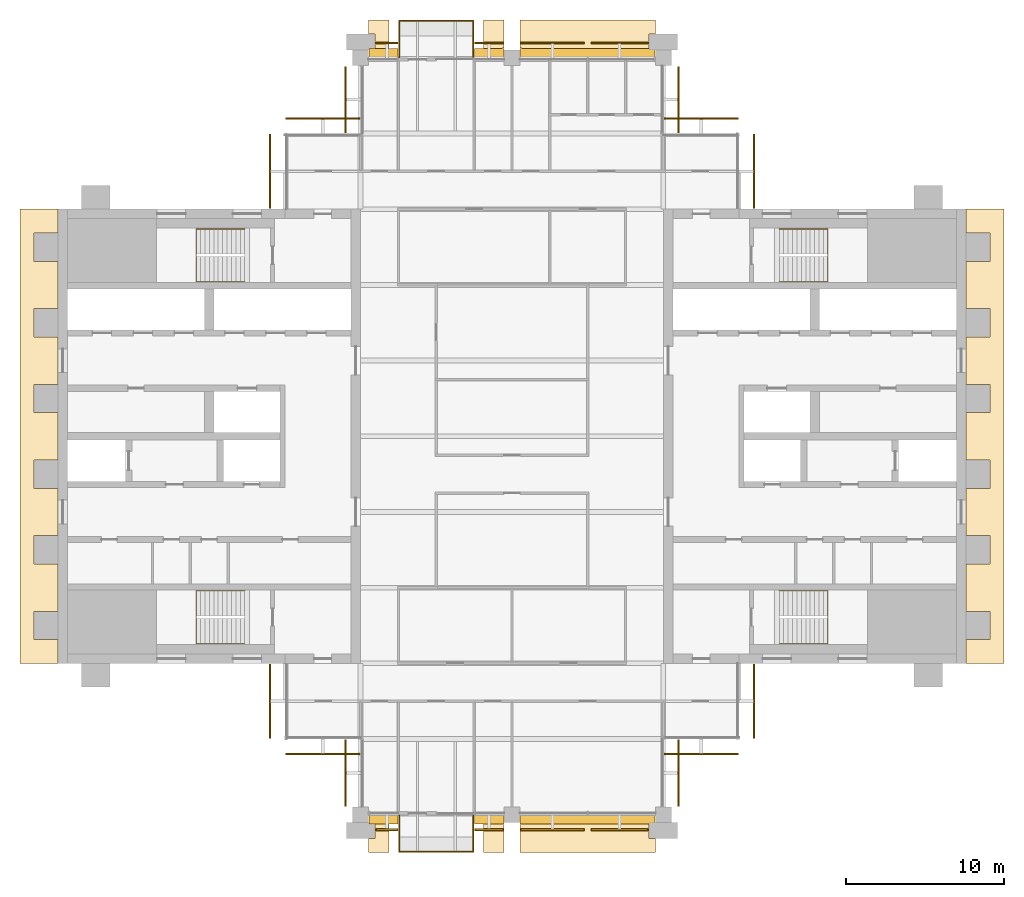
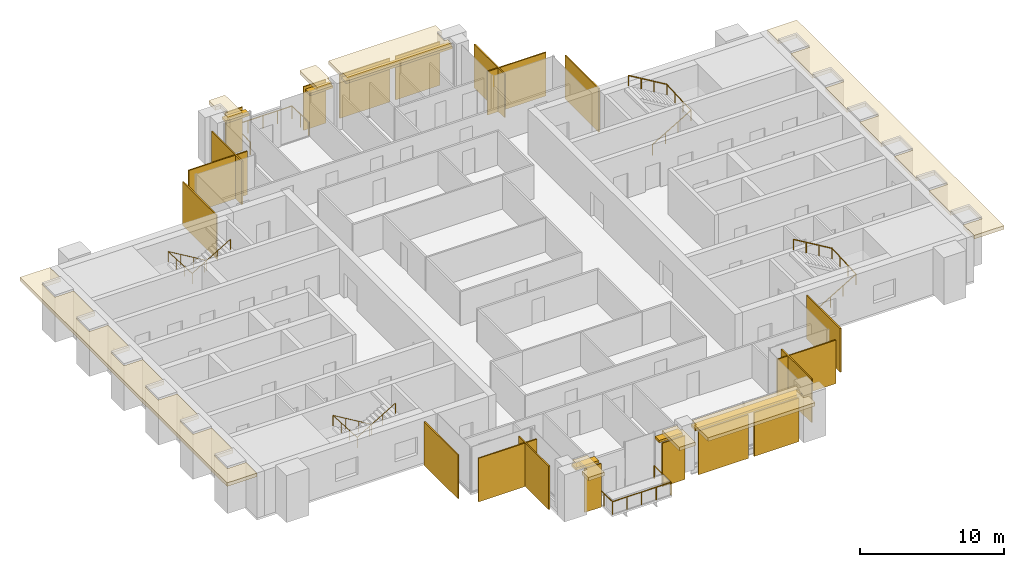
# One storey, part 13 of 13: 28 coverings, 6 railings, 6 shading devices.
"""IFC4 building model written with IfcOpenShell, lengths in metres."""

from ifc_helpers import new_model, si_unit, direction, frame, origin, origin_2d, place, context, subcontext, project, spatial, polyline, rectangle, circle, outline, extrude, material, layer, layer_set, type_object, element, save


model = new_model("IFC4")

# Units and contexts
model_context = context("Model", 3, precision=1e-05, world=origin(), true_north=direction((0.0, 1.0)))
body_context = subcontext(model_context, "Body", "Model", "MODEL_VIEW")
ifc_project = project(units=[si_unit("LENGTHUNIT", "METRE"), si_unit("AREAUNIT", "SQUARE_METRE"), si_unit("VOLUMEUNIT", "CUBIC_METRE"), si_unit("PLANEANGLEUNIT", "RADIAN"), si_unit("MASSUNIT", "GRAM", prefix="KILO")], contexts=[model_context])

# Site, building, storey
site_placement = place(None, origin())
site = spatial("IfcSite", under=ifc_project, at=site_placement, CompositionType="ELEMENT")
building_placement = place(site_placement, origin())
building = spatial("IfcBuilding", under=site, at=building_placement, Name="Baori Bourse Tower", CompositionType="ELEMENT")
storey_placement = place(building_placement, frame((0.0, 0.0, 314.300048828125)))
storey = spatial("IfcBuildingStorey", under=building, at=storey_placement, Name="L69", CompositionType="ELEMENT", Elevation=314.300048828125)

# Coverings
ifc_material_1 = material(Name="Pale anodised aluminium", Category="aluminium")
covering_type_1 = type_object("IfcCoveringType", Name="BD1 Pale metal band", PredefinedType="CLADDING", material=ifc_material_1)
covering_1_placement = place(storey_placement, frame((0.0, 0.0, 3.5400390625)))
element("IfcCovering", 1, at=covering_1_placement, inside=storey, type_object=covering_type_1, Name="Pale projecting band L69 1", PredefinedType="CLADDING", context=body_context, shape_type="SweptSolid", body=[
    extrude(outline(polyline([(57.60009765625, 11.10009765625), (57.60009765625, 9.60009765625), (60.0, 9.60009765625), (60.0, 38.39990234375), (57.60009765625, 38.39990234375), (57.60009765625, 36.89990234375), (59.10009765625, 36.89990234375), (59.10009765625, 35.10009765625), (57.60009765625, 35.10009765625), (57.60009765625, 32.10009765625), (59.10009765625, 32.10009765625), (59.10009765625, 30.300048828125), (57.60009765625, 30.300048828125), (57.60009765625, 27.300048828125), (59.10009765625, 27.300048828125), (59.10009765625, 25.5), (57.60009765625, 25.5), (57.60009765625, 22.5), (59.10009765625, 22.5), (59.10009765625, 20.699951171875), (57.60009765625, 20.699951171875), (57.60009765625, 17.699951171875), (59.10009765625, 17.699951171875), (59.10009765625, 15.89990234375), (57.60009765625, 15.89990234375), (57.60009765625, 12.89990234375), (59.10009765625, 12.89990234375), (59.10009765625, 11.10009765625), (57.60009765625, 11.10009765625)])), origin(), (0.0, 0.0, 1.0), 0.2998046875),
])
covering_2_placement = place(storey_placement, frame((0.0, 0.0, 3.5400390625)))
element("IfcCovering", 2, at=covering_2_placement, inside=storey, type_object=covering_type_1, Name="Pale projecting band L69 2", PredefinedType="CLADDING", context=body_context, shape_type="SweptSolid", body=[
    extrude(outline(polyline([(29.419921875, 48.0), (37.780029296875, 48.0), (37.780029296875, 48.5), (37.5, 48.5), (37.5, 49.5), (37.89990234375, 49.5), (37.89990234375, 50.39990234375), (29.300048828125, 50.39990234375), (29.300048828125, 48.6201171875), (29.419921875, 48.6201171875), (29.419921875, 48.0)])), origin(), (0.0, 0.0, 1.0), 0.2998046875),
])
covering_3_placement = place(storey_placement, frame((0.0, 0.0, 3.5400390625)))
element("IfcCovering", 3, at=covering_3_placement, inside=storey, type_object=covering_type_1, Name="Pale projecting band L69 3", PredefinedType="CLADDING", context=body_context, shape_type="SweptSolid", body=[
    extrude(outline(polyline([(27.0, 48.0), (28.179931640625, 48.0), (28.179931640625, 48.6201171875), (28.300048828125, 48.6201171875), (28.300048828125, 50.39990234375), (27.0, 50.39990234375), (27.0, 48.0)])), origin(), (0.0, 0.0, 1.0), 0.2998046875),
])
covering_4_placement = place(storey_placement, frame((0.0, 0.0, 3.5400390625)))
element("IfcCovering", 4, at=covering_4_placement, inside=storey, type_object=covering_type_1, Name="Pale projecting band L69 4", PredefinedType="CLADDING", context=body_context, shape_type="SweptSolid", body=[
    extrude(outline(polyline([(19.820068359375, 48.0), (21.0, 48.0), (21.0, 50.39990234375), (19.699951171875, 50.39990234375), (19.699951171875, 49.5), (20.10009765625, 49.5), (20.10009765625, 48.5), (19.820068359375, 48.5), (19.820068359375, 48.0)])), origin(), (0.0, 0.0, 1.0), 0.2998046875),
])
covering_5_placement = place(storey_placement, frame((0.0, 0.0, 3.5400390625)))
element("IfcCovering", 5, at=covering_5_placement, inside=storey, type_object=covering_type_1, Name="Pale projecting band L69 5", PredefinedType="CLADDING", context=body_context, shape_type="SweptSolid", body=[
    extrude(outline(polyline([(0.0, 36.89990234375), (0.0, 38.39990234375), (-2.39990234375, 38.39990234375), (-2.39990234375, 9.60009765625), (0.0, 9.60009765625), (0.0, 11.10009765625), (-1.5, 11.10009765625), (-1.5, 12.89990234375), (0.0, 12.89990234375), (0.0, 15.89990234375), (-1.5, 15.89990234375), (-1.5, 17.699951171875), (0.0, 17.699951171875), (0.0, 20.699951171875), (-1.5, 20.699951171875), (-1.5, 22.5), (0.0, 22.5), (0.0, 25.5), (-1.5, 25.5), (-1.5, 27.300048828125), (0.0, 27.300048828125), (0.0, 30.300048828125), (-1.5, 30.300048828125), (-1.5, 32.10009765625), (0.0, 32.10009765625), (0.0, 35.10009765625), (-1.5, 35.10009765625), (-1.5, 36.89990234375), (0.0, 36.89990234375)])), origin(), (0.0, 0.0, 1.0), 0.2998046875),
])
covering_6_placement = place(storey_placement, frame((0.0, 0.0, 3.5400390625)))
element("IfcCovering", 6, at=covering_6_placement, inside=storey, type_object=covering_type_1, Name="Pale projecting band L69 6", PredefinedType="CLADDING", context=body_context, shape_type="SweptSolid", body=[
    extrude(outline(polyline([(21.0, 0.0), (19.820068359375, 0.0), (19.820068359375, -0.5), (20.10009765625, -0.5), (20.10009765625, -1.5), (19.699951171875, -1.5), (19.699951171875, -2.39990234375), (21.0, -2.39990234375), (21.0, 0.0)])), origin(), (0.0, 0.0, 1.0), 0.2998046875),
])
covering_7_placement = place(storey_placement, frame((0.0, 0.0, 3.5400390625)))
element("IfcCovering", 7, at=covering_7_placement, inside=storey, type_object=covering_type_1, Name="Pale projecting band L69 7", PredefinedType="CLADDING", context=body_context, shape_type="SweptSolid", body=[
    extrude(outline(polyline([(28.179931640625, 0.0), (27.0, 0.0), (27.0, -2.39990234375), (28.300048828125, -2.39990234375), (28.300048828125, -0.6201171875), (28.179931640625, -0.6201171875), (28.179931640625, 0.0)])), origin(), (0.0, 0.0, 1.0), 0.2998046875),
])
covering_8_placement = place(storey_placement, frame((0.0, 0.0, 3.5400390625)))
element("IfcCovering", 8, at=covering_8_placement, inside=storey, type_object=covering_type_1, Name="Pale projecting band L69 8", PredefinedType="CLADDING", context=body_context, shape_type="SweptSolid", body=[
    extrude(outline(polyline([(37.780029296875, 0.0), (29.419921875, 0.0), (29.419921875, -0.6201171875), (29.300048828125, -0.6201171875), (29.300048828125, -2.39990234375), (37.89990234375, -2.39990234375), (37.89990234375, -1.5), (37.5, -1.5), (37.5, -0.5), (37.780029296875, -0.5), (37.780029296875, 0.0)])), origin(), (0.0, 0.0, 1.0), 0.2998046875),
])

# Shading devices
ifc_material_2 = material(Name="Concrete f'c 40 MPa", Category="concrete")
ifc_layer_1 = layer(ifc_material_2, 0.199951171875)
ifc_layer_set_1 = layer_set([ifc_layer_1], Name="BS1 Brise-soleil ledge")
shading_device_type = type_object("IfcShadingDeviceType", Name="BS1 Brise-soleil ledge", PredefinedType="USERDEFINED", material=ifc_layer_set_1)
shading_device_1_placement = place(storey_placement, frame((33.60009765625, 48.300048828125, 3.33984375), z_axis=(0.0, 0.0, 1.0), x_axis=(-1.0, 0.0, 0.0)))
element("IfcShadingDevice", 9, at=shading_device_1_placement, inside=storey, type_object=shading_device_type, Name="Brise-soleil ledge L69 1", ObjectType="BRISE SOLEIL", PredefinedType="USERDEFINED", context=body_context, shape_type="SweptSolid", body=[
    extrude(rectangle(XDim=8.56005859375, YDim=0.60009765625, at=origin_2d()), origin(), (0.0, 0.0, 1.0), 0.199951171875),
])
for number, where, z_axis, x_axis, name in (
    (10, (27.35009765625, 48.300048828125, 3.33984375), (0.0, 0.0, 1.0), (-1.0, 0.0, 0.0), "Brise-soleil ledge L69 2"),
    (11, (20.64990234375, 48.300048828125, 3.33984375), (0.0, 0.0, 1.0), (-1.0, 0.0, 0.0), "Brise-soleil ledge L69 3"),
    (12, (20.64990234375, -0.300048828125, 3.33984375), (0.0, 0.0, 1.0), (1.0, 0.0, 0.0), "Brise-soleil ledge L69 4"),
    (13, (27.35009765625, -0.300048828125, 3.33984375), (0.0, 0.0, 1.0), (1.0, 0.0, 0.0), "Brise-soleil ledge L69 5"),
):
    element("IfcShadingDevice", number, at=place(storey_placement, frame(where, z_axis=z_axis, x_axis=x_axis)), inside=storey, type_object=shading_device_type, Name=name, ObjectType="BRISE SOLEIL", PredefinedType="USERDEFINED", context=body_context, shape_type="SweptSolid", body=[
        extrude(rectangle(XDim=1.860107421875, YDim=0.60009765625, at=origin_2d()), origin(), (0.0, 0.0, 1.0), 0.199951171875),
    ])
shading_device_2_placement = place(storey_placement, frame((33.60009765625, -0.300048828125, 3.33984375), z_axis=(0.0, 0.0, 1.0), x_axis=(1.0, 0.0, 0.0)))
element("IfcShadingDevice", 14, at=shading_device_2_placement, inside=storey, type_object=shading_device_type, Name="Brise-soleil ledge L69 6", ObjectType="BRISE SOLEIL", PredefinedType="USERDEFINED", context=body_context, shape_type="SweptSolid", body=[
    extrude(rectangle(XDim=8.56005859375, YDim=0.60009765625, at=origin_2d()), origin(), (0.0, 0.0, 1.0), 0.199951171875),
])

# Railings
ifc_material_3 = material(Name="Powder-coated steel balustrade", Category="steel")
railing_type_1 = type_object("IfcRailingType", Name="Core stair handrail", PredefinedType="HANDRAIL", material=ifc_material_3)
railing_1_placement = place(storey_placement, frame((11.85009765625, 14.199951171875, 0.16650390625)))
element("IfcRailing", 15, at=railing_1_placement, inside=storey, type_object=railing_type_1, Name="L69 ST1 stair handrail 1", PredefinedType="HANDRAIL", context=body_context, shape_type="SweptSolid", body=[
    extrude(circle(Radius=0.02392578125, at=origin_2d()), frame((0.0, 0.0, 0.8759765625), z_axis=(-0.85927862911, 0.0, 0.511507807912), x_axis=(0.0, -1.0, 0.0)), (0.0, 0.0, 1.0), 3.58447265625),
    extrude(circle(Radius=0.02392578125, at=origin_2d()), frame((-3.080078125, 0.0, 2.70947265625), z_axis=(0.0, -0.998766999029, 0.049643545903), x_axis=(1.0, 0.0, 0.0)), (0.0, 0.0, 1.0), 3.35400390625),
    extrude(circle(Radius=0.02392578125, at=origin_2d()), frame((-3.080078125, -3.349853515625, 2.8759765625), z_axis=(0.85927862911, 0.0, 0.511507807912), x_axis=(0.0, 1.0, 0.0)), (0.0, 0.0, 1.0), 3.58447265625),
    extrude(circle(Radius=0.02099609375, at=origin_2d()), origin(), (0.0, 0.0, 1.0), 0.851806640625),
    extrude(circle(Radius=0.02099609375, at=origin_2d()), frame((-1.026611328125, 0.0, 0.611083984375)), (0.0, 0.0, 1.0), 0.851806640625),
    extrude(circle(Radius=0.02099609375, at=origin_2d()), frame((-2.053466796875, 0.0, 1.222412109375)), (0.0, 0.0, 1.0), 0.851806640625),
    extrude(circle(Radius=0.02099609375, at=origin_2d()), frame((-3.080078125, 0.0, 1.83349609375)), (0.0, 0.0, 1.0), 0.851806640625),
    extrude(circle(Radius=0.02099609375, at=origin_2d()), frame((-3.080078125, -1.11669921875, 1.888916015625)), (0.0, 0.0, 1.0), 0.851806640625),
    extrude(circle(Radius=0.02099609375, at=origin_2d()), frame((-3.080078125, -2.233154296875, 1.944580078125)), (0.0, 0.0, 1.0), 0.851806640625),
    extrude(circle(Radius=0.02099609375, at=origin_2d()), frame((-3.080078125, -3.349853515625, 2.0)), (0.0, 0.0, 1.0), 0.851806640625),
    extrude(circle(Radius=0.02099609375, at=origin_2d()), frame((-2.053466796875, -3.349853515625, 2.611083984375)), (0.0, 0.0, 1.0), 0.851806640625),
    extrude(circle(Radius=0.02099609375, at=origin_2d()), frame((-1.026611328125, -3.349853515625, 3.222412109375)), (0.0, 0.0, 1.0), 0.851806640625),
    extrude(circle(Radius=0.02099609375, at=origin_2d()), frame((0.0, -3.349853515625, 3.83349609375)), (0.0, 0.0, 1.0), 0.851806640625),
])
railing_2_placement = place(storey_placement, frame((11.85009765625, 37.14990234375, 0.16650390625)))
element("IfcRailing", 16, at=railing_2_placement, inside=storey, type_object=railing_type_1, Name="L69 ST2 stair handrail 1", PredefinedType="HANDRAIL", context=body_context, shape_type="SweptSolid", body=[
    extrude(circle(Radius=0.02392578125, at=origin_2d()), frame((0.0, 0.0, 0.8759765625), z_axis=(-0.85927862911, 0.0, 0.511507807912), x_axis=(0.0, -1.0, 0.0)), (0.0, 0.0, 1.0), 3.58447265625),
    extrude(circle(Radius=0.02392578125, at=origin_2d()), frame((-3.080078125, 0.0, 2.70947265625), z_axis=(0.0, -0.998766999029, 0.049643545903), x_axis=(1.0, 0.0, 0.0)), (0.0, 0.0, 1.0), 3.35400390625),
    extrude(circle(Radius=0.02392578125, at=origin_2d()), frame((-3.080078125, -3.349853515625, 2.8759765625), z_axis=(0.85927862911, 0.0, 0.511507807912), x_axis=(0.0, 1.0, 0.0)), (0.0, 0.0, 1.0), 3.58447265625),
    extrude(circle(Radius=0.02099609375, at=origin_2d()), origin(), (0.0, 0.0, 1.0), 0.851806640625),
    extrude(circle(Radius=0.02099609375, at=origin_2d()), frame((-1.026611328125, 0.0, 0.611083984375)), (0.0, 0.0, 1.0), 0.851806640625),
    extrude(circle(Radius=0.02099609375, at=origin_2d()), frame((-2.053466796875, 0.0, 1.222412109375)), (0.0, 0.0, 1.0), 0.851806640625),
    extrude(circle(Radius=0.02099609375, at=origin_2d()), frame((-3.080078125, 0.0, 1.83349609375)), (0.0, 0.0, 1.0), 0.851806640625),
    extrude(circle(Radius=0.02099609375, at=origin_2d()), frame((-3.080078125, -1.11669921875, 1.888916015625)), (0.0, 0.0, 1.0), 0.851806640625),
    extrude(circle(Radius=0.02099609375, at=origin_2d()), frame((-3.080078125, -2.233154296875, 1.944580078125)), (0.0, 0.0, 1.0), 0.851806640625),
    extrude(circle(Radius=0.02099609375, at=origin_2d()), frame((-3.080078125, -3.349853515625, 2.0)), (0.0, 0.0, 1.0), 0.851806640625),
    extrude(circle(Radius=0.02099609375, at=origin_2d()), frame((-2.053466796875, -3.349853515625, 2.611083984375)), (0.0, 0.0, 1.0), 0.851806640625),
    extrude(circle(Radius=0.02099609375, at=origin_2d()), frame((-1.026611328125, -3.349853515625, 3.222412109375)), (0.0, 0.0, 1.0), 0.851806640625),
    extrude(circle(Radius=0.02099609375, at=origin_2d()), frame((0.0, -3.349853515625, 3.83349609375)), (0.0, 0.0, 1.0), 0.851806640625),
])
railing_3_placement = place(storey_placement, frame((45.75, 10.85009765625, 0.16650390625)))
element("IfcRailing", 17, at=railing_3_placement, inside=storey, type_object=railing_type_1, Name="L69 ST3 stair handrail 1", PredefinedType="HANDRAIL", context=body_context, shape_type="SweptSolid", body=[
    extrude(circle(Radius=0.02392578125, at=origin_2d()), frame((0.0, 0.0, 0.8759765625), z_axis=(0.85927862911, 0.0, 0.511507807912), x_axis=(0.0, 1.0, 0.0)), (0.0, 0.0, 1.0), 3.58447265625),
    extrude(circle(Radius=0.02392578125, at=origin_2d()), frame((3.080078125, 0.0, 2.70947265625), z_axis=(0.0, 0.998766999029, 0.049643545903), x_axis=(-1.0, 0.0, 0.0)), (0.0, 0.0, 1.0), 3.35400390625),
    extrude(circle(Radius=0.02392578125, at=origin_2d()), frame((3.080078125, 3.349853515625, 2.8759765625), z_axis=(-0.85927862911, 0.0, 0.511507807912), x_axis=(0.0, -1.0, 0.0)), (0.0, 0.0, 1.0), 3.58447265625),
    extrude(circle(Radius=0.02099609375, at=origin_2d()), origin(), (0.0, 0.0, 1.0), 0.851806640625),
    extrude(circle(Radius=0.02099609375, at=origin_2d()), frame((1.026611328125, 0.0, 0.611083984375)), (0.0, 0.0, 1.0), 0.851806640625),
    extrude(circle(Radius=0.02099609375, at=origin_2d()), frame((2.053466796875, 0.0, 1.222412109375)), (0.0, 0.0, 1.0), 0.851806640625),
    extrude(circle(Radius=0.02099609375, at=origin_2d()), frame((3.080078125, 0.0, 1.83349609375)), (0.0, 0.0, 1.0), 0.851806640625),
    extrude(circle(Radius=0.02099609375, at=origin_2d()), frame((3.080078125, 1.11669921875, 1.888916015625)), (0.0, 0.0, 1.0), 0.851806640625),
    extrude(circle(Radius=0.02099609375, at=origin_2d()), frame((3.080078125, 2.233154296875, 1.944580078125)), (0.0, 0.0, 1.0), 0.851806640625),
    extrude(circle(Radius=0.02099609375, at=origin_2d()), frame((3.080078125, 3.349853515625, 2.0)), (0.0, 0.0, 1.0), 0.851806640625),
    extrude(circle(Radius=0.02099609375, at=origin_2d()), frame((2.053466796875, 3.349853515625, 2.611083984375)), (0.0, 0.0, 1.0), 0.851806640625),
    extrude(circle(Radius=0.02099609375, at=origin_2d()), frame((1.026611328125, 3.349853515625, 3.222412109375)), (0.0, 0.0, 1.0), 0.851806640625),
    extrude(circle(Radius=0.02099609375, at=origin_2d()), frame((0.0, 3.349853515625, 3.83349609375)), (0.0, 0.0, 1.0), 0.851806640625),
])
railing_4_placement = place(storey_placement, frame((45.75, 33.800048828125, 0.16650390625)))
element("IfcRailing", 18, at=railing_4_placement, inside=storey, type_object=railing_type_1, Name="L69 ST4 stair handrail 1", PredefinedType="HANDRAIL", context=body_context, shape_type="SweptSolid", body=[
    extrude(circle(Radius=0.02392578125, at=origin_2d()), frame((0.0, 0.0, 0.8759765625), z_axis=(0.85927862911, 0.0, 0.511507807912), x_axis=(0.0, 1.0, 0.0)), (0.0, 0.0, 1.0), 3.58447265625),
    extrude(circle(Radius=0.02392578125, at=origin_2d()), frame((3.080078125, 0.0, 2.70947265625), z_axis=(0.0, 0.998766999029, 0.049643545903), x_axis=(-1.0, 0.0, 0.0)), (0.0, 0.0, 1.0), 3.35400390625),
    extrude(circle(Radius=0.02392578125, at=origin_2d()), frame((3.080078125, 3.349853515625, 2.8759765625), z_axis=(-0.85927862911, 0.0, 0.511507807912), x_axis=(0.0, -1.0, 0.0)), (0.0, 0.0, 1.0), 3.58447265625),
    extrude(circle(Radius=0.02099609375, at=origin_2d()), origin(), (0.0, 0.0, 1.0), 0.851806640625),
    extrude(circle(Radius=0.02099609375, at=origin_2d()), frame((1.026611328125, 0.0, 0.611083984375)), (0.0, 0.0, 1.0), 0.851806640625),
    extrude(circle(Radius=0.02099609375, at=origin_2d()), frame((2.053466796875, 0.0, 1.222412109375)), (0.0, 0.0, 1.0), 0.851806640625),
    extrude(circle(Radius=0.02099609375, at=origin_2d()), frame((3.080078125, 0.0, 1.83349609375)), (0.0, 0.0, 1.0), 0.851806640625),
    extrude(circle(Radius=0.02099609375, at=origin_2d()), frame((3.080078125, 1.11669921875, 1.888916015625)), (0.0, 0.0, 1.0), 0.851806640625),
    extrude(circle(Radius=0.02099609375, at=origin_2d()), frame((3.080078125, 2.233154296875, 1.944580078125)), (0.0, 0.0, 1.0), 0.851806640625),
    extrude(circle(Radius=0.02099609375, at=origin_2d()), frame((3.080078125, 3.349853515625, 2.0)), (0.0, 0.0, 1.0), 0.851806640625),
    extrude(circle(Radius=0.02099609375, at=origin_2d()), frame((2.053466796875, 3.349853515625, 2.611083984375)), (0.0, 0.0, 1.0), 0.851806640625),
    extrude(circle(Radius=0.02099609375, at=origin_2d()), frame((1.026611328125, 3.349853515625, 3.222412109375)), (0.0, 0.0, 1.0), 0.851806640625),
    extrude(circle(Radius=0.02099609375, at=origin_2d()), frame((0.0, 3.349853515625, 3.83349609375)), (0.0, 0.0, 1.0), 0.851806640625),
])
ifc_material_4 = material(Name="Stainless steel", Category="steel")
railing_type_2 = type_object("IfcRailingType", Name="GD1 Guard", PredefinedType="GUARDRAIL", material=ifc_material_4)
railing_5_placement = place(storey_placement, frame((21.64990234375, -0.030029296875, 0.0)))
element("IfcRailing", 19, at=railing_5_placement, inside=storey, type_object=railing_type_2, Name="Guard balcony S L69 1", PredefinedType="GUARDRAIL", context=body_context, shape_type="SweptSolid", body=[
    extrude(circle(Radius=0.02392578125, at=origin_2d()), frame((0.0, 0.0, 1.076171875), z_axis=(0.0, -1.0, 0.0), x_axis=(1.0, 0.0, 0.0)), (0.0, 0.0, 1.0), 2.320068359375),
    extrude(circle(Radius=0.02392578125, at=origin_2d()), frame((0.0, -2.320068359375, 1.076171875), z_axis=(1.0, 0.0, 0.0), x_axis=(0.0, 1.0, 0.0)), (0.0, 0.0, 1.0), 4.7001953125),
    extrude(circle(Radius=0.02392578125, at=origin_2d()), frame((4.7001953125, -2.320068359375, 1.076171875), z_axis=(0.0, 1.0, 0.0), x_axis=(-1.0, 0.0, 0.0)), (0.0, 0.0, 1.0), 2.320068359375),
    extrude(circle(Radius=0.02099609375, at=origin_2d()), origin(), (0.0, 0.0, 1.0), 1.052001953125),
    extrude(circle(Radius=0.02099609375, at=origin_2d()), frame((0.0, -1.16015625, 0.0)), (0.0, 0.0, 1.0), 1.052001953125),
    extrude(circle(Radius=0.02099609375, at=origin_2d()), frame((0.0, -2.320068359375, 0.0)), (0.0, 0.0, 1.0), 1.052001953125),
    extrude(circle(Radius=0.02099609375, at=origin_2d()), frame((1.175048828125, -2.320068359375, 0.0)), (0.0, 0.0, 1.0), 1.052001953125),
    extrude(circle(Radius=0.02099609375, at=origin_2d()), frame((2.35009765625, -2.320068359375, 0.0)), (0.0, 0.0, 1.0), 1.052001953125),
    extrude(circle(Radius=0.02099609375, at=origin_2d()), frame((3.525146484375, -2.320068359375, 0.0)), (0.0, 0.0, 1.0), 1.052001953125),
    extrude(circle(Radius=0.02099609375, at=origin_2d()), frame((4.7001953125, -2.320068359375, 0.0)), (0.0, 0.0, 1.0), 1.052001953125),
    extrude(circle(Radius=0.02099609375, at=origin_2d()), frame((4.7001953125, -1.16015625, 0.0)), (0.0, 0.0, 1.0), 1.052001953125),
    extrude(circle(Radius=0.02099609375, at=origin_2d()), frame((4.7001953125, 0.0, 0.0)), (0.0, 0.0, 1.0), 1.052001953125),
])
railing_6_placement = place(storey_placement, frame((21.64990234375, 48.030029296875, 0.0)))
element("IfcRailing", 20, at=railing_6_placement, inside=storey, type_object=railing_type_2, Name="Guard balcony N L69 2", PredefinedType="GUARDRAIL", context=body_context, shape_type="SweptSolid", body=[
    extrude(circle(Radius=0.02392578125, at=origin_2d()), frame((0.0, 0.0, 1.076171875), z_axis=(0.0, 1.0, 0.0), x_axis=(-1.0, 0.0, 0.0)), (0.0, 0.0, 1.0), 2.320068359375),
    extrude(circle(Radius=0.02392578125, at=origin_2d()), frame((0.0, 2.320068359375, 1.076171875), z_axis=(1.0, 0.0, 0.0), x_axis=(0.0, 1.0, 0.0)), (0.0, 0.0, 1.0), 4.7001953125),
    extrude(circle(Radius=0.02392578125, at=origin_2d()), frame((4.7001953125, 2.320068359375, 1.076171875), z_axis=(0.0, -1.0, 0.0), x_axis=(1.0, 0.0, 0.0)), (0.0, 0.0, 1.0), 2.320068359375),
    extrude(circle(Radius=0.02099609375, at=origin_2d()), origin(), (0.0, 0.0, 1.0), 1.052001953125),
    extrude(circle(Radius=0.02099609375, at=origin_2d()), frame((0.0, 1.16015625, 0.0)), (0.0, 0.0, 1.0), 1.052001953125),
    extrude(circle(Radius=0.02099609375, at=origin_2d()), frame((0.0, 2.320068359375, 0.0)), (0.0, 0.0, 1.0), 1.052001953125),
    extrude(circle(Radius=0.02099609375, at=origin_2d()), frame((1.175048828125, 2.320068359375, 0.0)), (0.0, 0.0, 1.0), 1.052001953125),
    extrude(circle(Radius=0.02099609375, at=origin_2d()), frame((2.35009765625, 2.320068359375, 0.0)), (0.0, 0.0, 1.0), 1.052001953125),
    extrude(circle(Radius=0.02099609375, at=origin_2d()), frame((3.525146484375, 2.320068359375, 0.0)), (0.0, 0.0, 1.0), 1.052001953125),
    extrude(circle(Radius=0.02099609375, at=origin_2d()), frame((4.7001953125, 2.320068359375, 0.0)), (0.0, 0.0, 1.0), 1.052001953125),
    extrude(circle(Radius=0.02099609375, at=origin_2d()), frame((4.7001953125, 1.16015625, 0.0)), (0.0, 0.0, 1.0), 1.052001953125),
    extrude(circle(Radius=0.02099609375, at=origin_2d()), frame((4.7001953125, 0.0, 0.0)), (0.0, 0.0, 1.0), 1.052001953125),
])

# Coverings
ifc_material_5 = material(Name="Pale anodised aluminium", Category="aluminium")
ifc_layer_2 = layer(ifc_material_5, 0.10009765625)
ifc_layer_set_2 = layer_set([ifc_layer_2], Name="OS3 Outer skin screen panel")
covering_type_2 = type_object("IfcCoveringType", Name="OS3 Outer skin screen panel", PredefinedType="CLADDING", material=ifc_layer_set_2)
covering_9_placement = place(storey_placement, frame((0.0, 0.0, -0.16015625)))
element("IfcCovering", 21, at=covering_9_placement, inside=storey, type_object=covering_type_2, Name="Outer skin screen L69 1", PredefinedType="CLADDING", context=body_context, shape_type="SweptSolid", body=[
    extrude(outline(polyline([(44.10009765625, 43.14990234375), (44.10009765625, 38.449951171875), (44.199951171875, 38.449951171875), (44.199951171875, 43.14990234375), (44.10009765625, 43.14990234375)])), origin(), (0.0, 0.0, 1.0), 3.7001953125),
])
covering_10_placement = place(storey_placement, frame((0.0, 0.0, -0.16015625)))
element("IfcCovering", 22, at=covering_10_placement, inside=storey, type_object=covering_type_2, Name="Outer skin screen L69 2", PredefinedType="CLADDING", context=body_context, shape_type="SweptSolid", body=[
    extrude(outline(polyline([(38.449951171875, 44.10009765625), (43.14990234375, 44.10009765625), (43.14990234375, 44.199951171875), (38.449951171875, 44.199951171875), (38.449951171875, 44.10009765625)])), origin(), (0.0, 0.0, 1.0), 3.7001953125),
])
covering_11_placement = place(storey_placement, frame((0.0, 0.0, -0.16015625)))
element("IfcCovering", 23, at=covering_11_placement, inside=storey, type_object=covering_type_2, Name="Outer skin screen L69 3", PredefinedType="CLADDING", context=body_context, shape_type="SweptSolid", body=[
    extrude(outline(polyline([(39.300048828125, 47.449951171875), (39.300048828125, 43.25), (39.39990234375, 43.25), (39.39990234375, 47.449951171875), (39.300048828125, 47.449951171875)])), origin(), (0.0, 0.0, 1.0), 3.7001953125),
])
covering_12_placement = place(storey_placement, frame((0.0, 0.0, -0.16015625)))
element("IfcCovering", 24, at=covering_12_placement, inside=storey, type_object=covering_type_2, Name="Outer skin screen L69 4", PredefinedType="CLADDING", context=body_context, shape_type="SweptSolid", body=[
    extrude(outline(polyline([(33.824951171875, 48.89990234375), (37.39990234375, 48.89990234375), (37.39990234375, 49.0), (33.824951171875, 49.0), (33.824951171875, 48.89990234375)])), origin(), (0.0, 0.0, 1.0), 3.7001953125),
])
covering_13_placement = place(storey_placement, frame((0.0, 0.0, -0.16015625)))
element("IfcCovering", 25, at=covering_13_placement, inside=storey, type_object=covering_type_2, Name="Outer skin screen L69 5", PredefinedType="CLADDING", context=body_context, shape_type="SweptSolid", body=[
    extrude(outline(polyline([(29.35009765625, 48.89990234375), (33.375, 48.89990234375), (33.375, 49.0), (29.35009765625, 49.0), (29.35009765625, 48.89990234375)])), origin(), (0.0, 0.0, 1.0), 3.7001953125),
])
covering_14_placement = place(storey_placement, frame((0.0, 0.0, -0.16015625)))
element("IfcCovering", 26, at=covering_14_placement, inside=storey, type_object=covering_type_2, Name="Outer skin screen L69 6", PredefinedType="CLADDING", context=body_context, shape_type="SweptSolid", body=[
    extrude(outline(polyline([(26.449951171875, 48.89990234375), (28.25, 48.89990234375), (28.25, 49.0), (26.449951171875, 49.0), (26.449951171875, 48.89990234375)])), origin(), (0.0, 0.0, 1.0), 3.7001953125),
])
covering_15_placement = place(storey_placement, frame((0.0, 0.0, -0.16015625)))
element("IfcCovering", 27, at=covering_15_placement, inside=storey, type_object=covering_type_2, Name="Outer skin screen L69 7", PredefinedType="CLADDING", context=body_context, shape_type="SweptSolid", body=[
    extrude(outline(polyline([(20.199951171875, 48.89990234375), (21.550048828125, 48.89990234375), (21.550048828125, 49.0), (20.199951171875, 49.0), (20.199951171875, 48.89990234375)])), origin(), (0.0, 0.0, 1.0), 3.7001953125),
])
covering_16_placement = place(storey_placement, frame((0.0, 0.0, -0.16015625)))
element("IfcCovering", 28, at=covering_16_placement, inside=storey, type_object=covering_type_2, Name="Outer skin screen L69 8", PredefinedType="CLADDING", context=body_context, shape_type="SweptSolid", body=[
    extrude(outline(polyline([(18.300048828125, 43.25), (18.300048828125, 47.449951171875), (18.199951171875, 47.449951171875), (18.199951171875, 43.25), (18.300048828125, 43.25)])), origin(), (0.0, 0.0, 1.0), 3.7001953125),
])
covering_17_placement = place(storey_placement, frame((0.0, 0.0, -0.16015625)))
element("IfcCovering", 29, at=covering_17_placement, inside=storey, type_object=covering_type_2, Name="Outer skin screen L69 9", PredefinedType="CLADDING", context=body_context, shape_type="SweptSolid", body=[
    extrude(outline(polyline([(14.449951171875, 44.10009765625), (19.14990234375, 44.10009765625), (19.14990234375, 44.199951171875), (14.449951171875, 44.199951171875), (14.449951171875, 44.10009765625)])), origin(), (0.0, 0.0, 1.0), 3.7001953125),
])
covering_18_placement = place(storey_placement, frame((0.0, 0.0, -0.16015625)))
element("IfcCovering", 30, at=covering_18_placement, inside=storey, type_object=covering_type_2, Name="Outer skin screen L69 10", PredefinedType="CLADDING", context=body_context, shape_type="SweptSolid", body=[
    extrude(outline(polyline([(13.5, 38.449951171875), (13.5, 43.14990234375), (13.39990234375, 43.14990234375), (13.39990234375, 38.449951171875), (13.5, 38.449951171875)])), origin(), (0.0, 0.0, 1.0), 3.7001953125),
])
covering_19_placement = place(storey_placement, frame((0.0, 0.0, -0.16015625)))
element("IfcCovering", 31, at=covering_19_placement, inside=storey, type_object=covering_type_2, Name="Outer skin screen L69 11", PredefinedType="CLADDING", context=body_context, shape_type="SweptSolid", body=[
    extrude(outline(polyline([(13.5, 4.85009765625), (13.5, 9.550048828125), (13.39990234375, 9.550048828125), (13.39990234375, 4.85009765625), (13.5, 4.85009765625)])), origin(), (0.0, 0.0, 1.0), 3.7001953125),
])
covering_20_placement = place(storey_placement, frame((0.0, 0.0, -0.16015625)))
element("IfcCovering", 32, at=covering_20_placement, inside=storey, type_object=covering_type_2, Name="Outer skin screen L69 12", PredefinedType="CLADDING", context=body_context, shape_type="SweptSolid", body=[
    extrude(outline(polyline([(19.14990234375, 3.89990234375), (14.449951171875, 3.89990234375), (14.449951171875, 3.800048828125), (19.14990234375, 3.800048828125), (19.14990234375, 3.89990234375)])), origin(), (0.0, 0.0, 1.0), 3.7001953125),
])
covering_21_placement = place(storey_placement, frame((0.0, 0.0, -0.16015625)))
element("IfcCovering", 33, at=covering_21_placement, inside=storey, type_object=covering_type_2, Name="Outer skin screen L69 13", PredefinedType="CLADDING", context=body_context, shape_type="SweptSolid", body=[
    extrude(outline(polyline([(18.300048828125, 0.550048828125), (18.300048828125, 4.75), (18.199951171875, 4.75), (18.199951171875, 0.550048828125), (18.300048828125, 0.550048828125)])), origin(), (0.0, 0.0, 1.0), 3.7001953125),
])
covering_22_placement = place(storey_placement, frame((0.0, 0.0, -0.16015625)))
element("IfcCovering", 34, at=covering_22_placement, inside=storey, type_object=covering_type_2, Name="Outer skin screen L69 14", PredefinedType="CLADDING", context=body_context, shape_type="SweptSolid", body=[
    extrude(outline(polyline([(21.550048828125, -0.89990234375), (20.199951171875, -0.89990234375), (20.199951171875, -1.0), (21.550048828125, -1.0), (21.550048828125, -0.89990234375)])), origin(), (0.0, 0.0, 1.0), 3.7001953125),
])
covering_23_placement = place(storey_placement, frame((0.0, 0.0, -0.16015625)))
element("IfcCovering", 35, at=covering_23_placement, inside=storey, type_object=covering_type_2, Name="Outer skin screen L69 15", PredefinedType="CLADDING", context=body_context, shape_type="SweptSolid", body=[
    extrude(outline(polyline([(28.25, -0.89990234375), (26.449951171875, -0.89990234375), (26.449951171875, -1.0), (28.25, -1.0), (28.25, -0.89990234375)])), origin(), (0.0, 0.0, 1.0), 3.7001953125),
])
covering_24_placement = place(storey_placement, frame((0.0, 0.0, -0.16015625)))
element("IfcCovering", 36, at=covering_24_placement, inside=storey, type_object=covering_type_2, Name="Outer skin screen L69 16", PredefinedType="CLADDING", context=body_context, shape_type="SweptSolid", body=[
    extrude(outline(polyline([(33.375, -0.89990234375), (29.35009765625, -0.89990234375), (29.35009765625, -1.0), (33.375, -1.0), (33.375, -0.89990234375)])), origin(), (0.0, 0.0, 1.0), 3.7001953125),
])
covering_25_placement = place(storey_placement, frame((0.0, 0.0, -0.16015625)))
element("IfcCovering", 37, at=covering_25_placement, inside=storey, type_object=covering_type_2, Name="Outer skin screen L69 17", PredefinedType="CLADDING", context=body_context, shape_type="SweptSolid", body=[
    extrude(outline(polyline([(37.39990234375, -0.89990234375), (33.824951171875, -0.89990234375), (33.824951171875, -1.0), (37.39990234375, -1.0), (37.39990234375, -0.89990234375)])), origin(), (0.0, 0.0, 1.0), 3.7001953125),
])
covering_26_placement = place(storey_placement, frame((0.0, 0.0, -0.16015625)))
element("IfcCovering", 38, at=covering_26_placement, inside=storey, type_object=covering_type_2, Name="Outer skin screen L69 18", PredefinedType="CLADDING", context=body_context, shape_type="SweptSolid", body=[
    extrude(outline(polyline([(39.300048828125, 4.75), (39.300048828125, 0.550048828125), (39.39990234375, 0.550048828125), (39.39990234375, 4.75), (39.300048828125, 4.75)])), origin(), (0.0, 0.0, 1.0), 3.7001953125),
])
covering_27_placement = place(storey_placement, frame((0.0, 0.0, -0.16015625)))
element("IfcCovering", 39, at=covering_27_placement, inside=storey, type_object=covering_type_2, Name="Outer skin screen L69 19", PredefinedType="CLADDING", context=body_context, shape_type="SweptSolid", body=[
    extrude(outline(polyline([(43.14990234375, 3.89990234375), (38.449951171875, 3.89990234375), (38.449951171875, 3.800048828125), (43.14990234375, 3.800048828125), (43.14990234375, 3.89990234375)])), origin(), (0.0, 0.0, 1.0), 3.7001953125),
])
covering_28_placement = place(storey_placement, frame((0.0, 0.0, -0.16015625)))
element("IfcCovering", 40, at=covering_28_placement, inside=storey, type_object=covering_type_2, Name="Outer skin screen L69 20", PredefinedType="CLADDING", context=body_context, shape_type="SweptSolid", body=[
    extrude(outline(polyline([(44.10009765625, 9.550048828125), (44.10009765625, 4.85009765625), (44.199951171875, 4.85009765625), (44.199951171875, 9.550048828125), (44.10009765625, 9.550048828125)])), origin(), (0.0, 0.0, 1.0), 3.7001953125),
])

save(model, "model.ifc")
